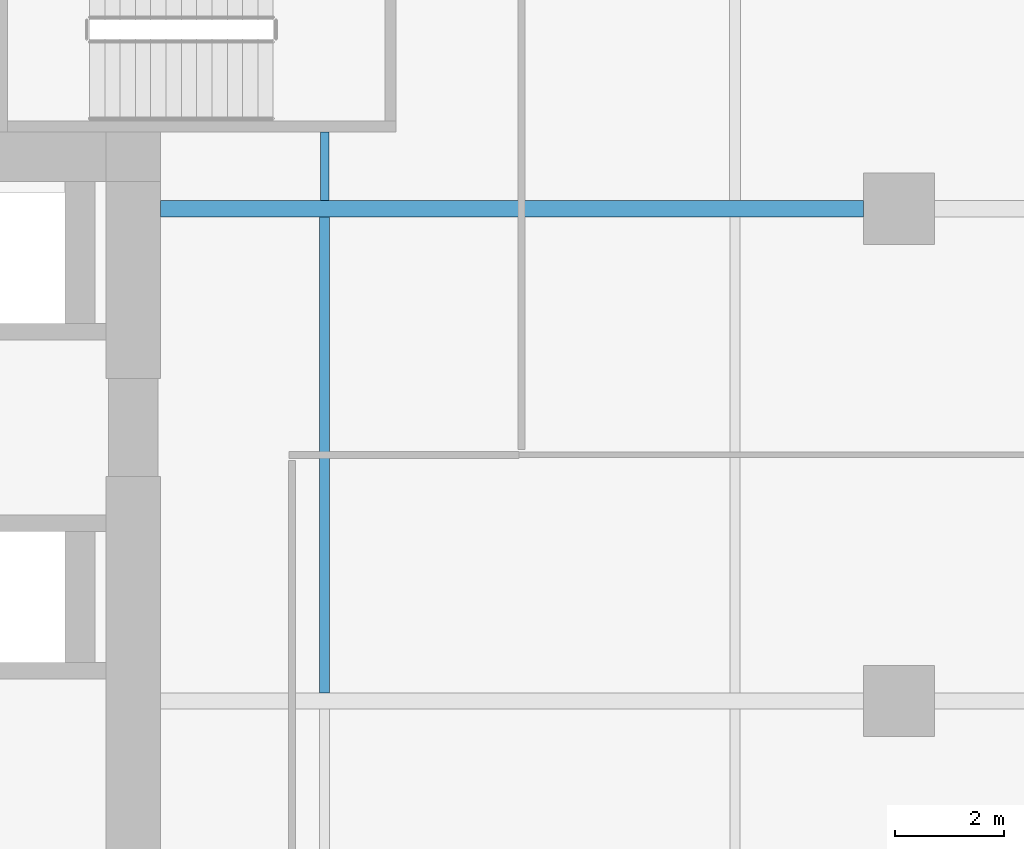
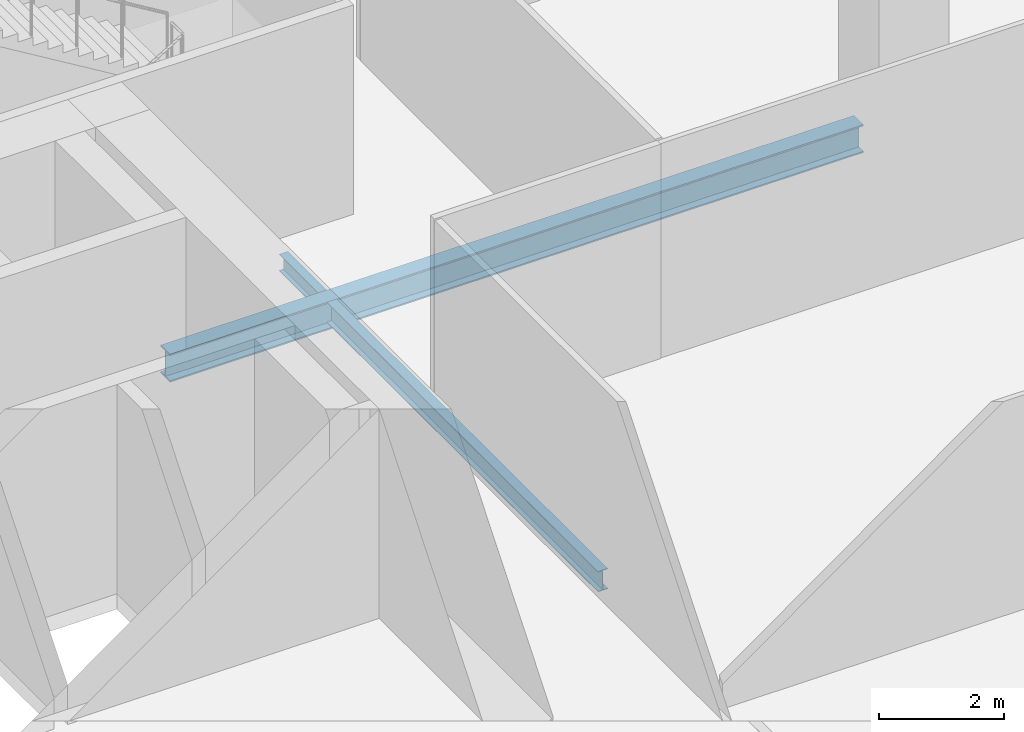
# One storey, part 13 of 34: 3 beams.
"""IFC4 building model written with IfcOpenShell, lengths in metres."""

from ifc_helpers import new_model, si_unit, direction, frame, origin, origin_2d, place, context, subcontext, project, spatial, i_section, extrude, source, transform, mapped, material, material_profile, profile_set, type_object, element, save


model = new_model("IFC4")

# Units and contexts
model_context = context("Model", 3, precision=1e-05, world=origin(), true_north=direction((0.0, 1.0)))
body_context = subcontext(model_context, "Body", "Model", "MODEL_VIEW")
ifc_project = project(units=[si_unit("LENGTHUNIT", "METRE"), si_unit("AREAUNIT", "SQUARE_METRE"), si_unit("VOLUMEUNIT", "CUBIC_METRE"), si_unit("PLANEANGLEUNIT", "RADIAN"), si_unit("MASSUNIT", "GRAM", prefix="KILO")], contexts=[model_context])

# Site, building, storey
site_placement = place(None, origin())
site = spatial("IfcSite", under=ifc_project, at=site_placement, CompositionType="ELEMENT")
building_placement = place(site_placement, origin())
building = spatial("IfcBuilding", under=site, at=building_placement, Name="Khomas Fold Tower", CompositionType="ELEMENT")
storey_placement = place(building_placement, frame((0.0, 0.0, 114.699951171875)))
storey = spatial("IfcBuildingStorey", under=building, at=storey_placement, Name="L24", CompositionType="ELEMENT", Elevation=114.699951171875)

# Beams
ifc_material_1 = material(Name="Steel S355", Category="steel")
ifc_material_profile_1 = material_profile(ifc_material_1, i_section(OverallWidth=0.179931640625, OverallDepth=0.39990234375, WebThickness=0.008544921875, FlangeThickness=0.013427734375, at=origin_2d()), Name="IPE 400")
ifc_profile_set_1 = profile_set([ifc_material_profile_1], Name="Steel S355")
beam_type_1 = type_object("IfcBeamType", Name="IPE 400 beam JB3", PredefinedType="BEAM", material=ifc_profile_set_1)
shared_shape_1 = source(origin(), body_context, "Body", "SweptSolid", [
    extrude(i_section(OverallWidth=0.179931640625, OverallDepth=0.39990234375, WebThickness=0.008544921875, FlangeThickness=0.013427734375, at=origin_2d()), origin(), (0.0, 0.0, 1.0), 8.7001953125),
])
beam_1_placement = place(storey_placement, frame((27.0, 31.64990234375, -0.5), z_axis=(0.0, 1.0, 0.0), x_axis=(-1.0, 0.0, 0.0)))
element("IfcBeam", 1, at=beam_1_placement, inside=storey, type_object=beam_type_1, Name="JB3", PredefinedType="BEAM", context=body_context, shape_type="MappedRepresentation", body=[
    mapped(shared_shape_1, transform((0.0, 0.0, 0.0))),
])
ifc_material_2 = material(Name="Steel S355", Category="steel")
ifc_material_profile_2 = material_profile(ifc_material_2, i_section(OverallWidth=0.159912109375, OverallDepth=0.330078125, WebThickness=0.007568359375, FlangeThickness=0.011474609375, at=origin_2d()), Name="IPE 330")
ifc_profile_set_2 = profile_set([ifc_material_profile_2], Name="Steel S355")
beam_type_2 = type_object("IfcBeamType", Name="IPE 330 beam JB1", PredefinedType="BEAM", material=ifc_profile_set_2)
shared_shape_2 = source(origin(), body_context, "Body", "SweptSolid", [
    extrude(i_section(OverallWidth=0.159912109375, OverallDepth=0.330078125, WebThickness=0.007568359375, FlangeThickness=0.011474609375, at=origin_2d()), origin(), (0.0, 0.0, 1.0), 1.25),
])
beam_2_placement = place(storey_placement, frame((27.0, 40.64990234375, -0.46484375), z_axis=(0.0, 1.0, 0.0), x_axis=(-1.0, 0.0, 0.0)))
element("IfcBeam", 2, at=beam_2_placement, inside=storey, type_object=beam_type_2, Name="JB1", PredefinedType="BEAM", context=body_context, shape_type="MappedRepresentation", body=[
    mapped(shared_shape_2, transform((0.0, 0.0, 0.0))),
])
ifc_material_3 = material(Name="Steel S355", Category="steel")
ifc_material_profile_3 = material_profile(ifc_material_3, i_section(OverallWidth=0.300048828125, OverallDepth=0.550048828125, WebThickness=0.014892578125, FlangeThickness=0.029052734375, at=origin_2d()), Name="HE 550 B")
ifc_profile_set_3 = profile_set([ifc_material_profile_3], Name="Steel S355")
beam_type_3 = type_object("IfcBeamType", Name="HE 550 B beam GB4", PredefinedType="BEAM", material=ifc_profile_set_3)
shared_shape_3 = source(origin(), body_context, "Body", "SweptSolid", [
    extrude(i_section(OverallWidth=0.300048828125, OverallDepth=0.550048828125, WebThickness=0.014892578125, FlangeThickness=0.029052734375, at=origin_2d()), origin(), (0.0, 0.0, 1.0), 12.85009765625),
])
beam_3_placement = place(storey_placement, frame((24.0, 40.5, -0.574951171875), z_axis=(1.0, 0.0, 0.0), x_axis=(0.0, 1.0, 0.0)))
element("IfcBeam", 3, at=beam_3_placement, inside=storey, type_object=beam_type_3, Name="GB4", PredefinedType="BEAM", context=body_context, shape_type="MappedRepresentation", body=[
    mapped(shared_shape_3, transform((0.0, 0.0, 0.0))),
])

save(model, "model.ifc")
